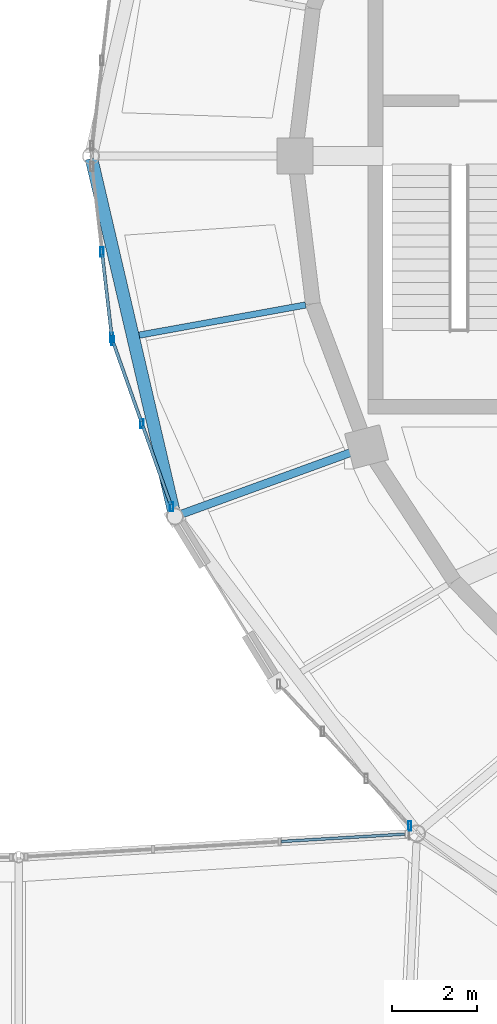
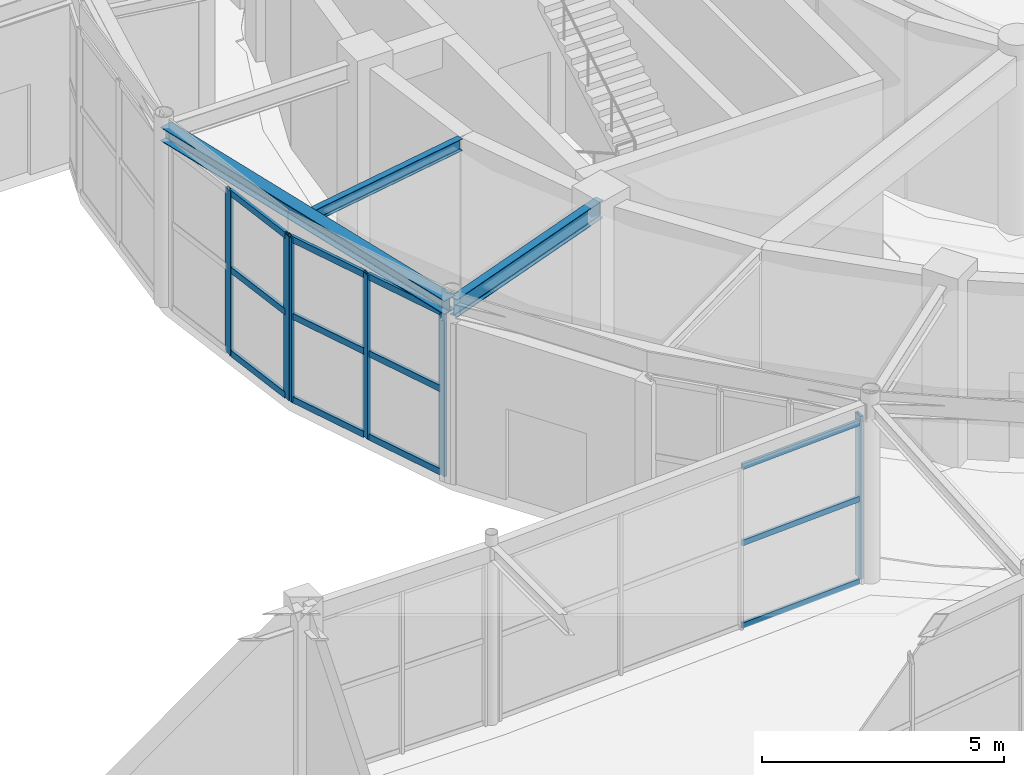
# One storey, part 29 of 108: 18 members, 3 beams, 4 elements without a shape of their own.
"""IFC4 building model written with IfcOpenShell, lengths in metres."""

from ifc_helpers import new_model, si_unit, direction, frame, origin, origin_2d, place, context, subcontext, project, spatial, hollow_rectangle, i_section, extrude, material, material_profile, profile_set, type_object, element, aggregate, save


model = new_model("IFC4")

# Units and contexts
model_context = context("Model", 3, precision=1e-05, world=origin(), true_north=direction((0.0, 1.0)))
body_context = subcontext(model_context, "Body", "Model", "MODEL_VIEW")
ifc_project = project(units=[si_unit("LENGTHUNIT", "METRE"), si_unit("AREAUNIT", "SQUARE_METRE"), si_unit("VOLUMEUNIT", "CUBIC_METRE"), si_unit("PLANEANGLEUNIT", "RADIAN"), si_unit("MASSUNIT", "GRAM", prefix="KILO")], contexts=[model_context])

# Site, building, storey
site_placement = place(None, origin())
site = spatial("IfcSite", under=ifc_project, at=site_placement, CompositionType="ELEMENT")
building_placement = place(site_placement, origin())
building = spatial("IfcBuilding", under=site, at=building_placement, Name="Tarnveldt Headland Concert Hall", CompositionType="ELEMENT")
storey_placement = place(building_placement, origin())
storey = spatial("IfcBuildingStorey", under=building, at=storey_placement, Name="L00", CompositionType="ELEMENT", Elevation=0.0)

# Curtain wall, members
ifc_material_1 = material(Name="Marine-anodised aluminium EN AW-6063-T6", Category="aluminium")
curtain_wall_type_1 = type_object("IfcCurtainWallType", Name="CW-F1", PredefinedType="NOTDEFINED", material=ifc_material_1)
curtain_wall_1_placement = place(storey_placement, origin())
curtain_wall_1 = element("IfcCurtainWall", 1, at=curtain_wall_1_placement, inside=storey, type_object=curtain_wall_type_1, Name="Curtain wall CW-L00-015", PredefinedType="NOTDEFINED")
ifc_material_profile_1 = material_profile(ifc_material_1, hollow_rectangle(XDim=0.074951171875, YDim=0.219970703125, WallThickness=0.0048828125, at=origin_2d()), Name="ALU MULLION 75x220x5", Category="aluminium")
ifc_profile_set_1 = profile_set([ifc_material_profile_1], Name="Marine-anodised aluminium EN AW-6063-T6")
member_type_1 = type_object("IfcMemberType", Name="ML-200", PredefinedType="MULLION", material=ifc_profile_set_1)
member_1_placement = place(storey_placement, frame((50.9609375, 52.245849609375, 0.0), z_axis=(0.0, 0.0, 1.0), x_axis=(1.0, 0.0, 0.0)))
member_1 = element("IfcMember", 2, at=member_1_placement, type_object=member_type_1, Name="Mullion CW-L00-015-2", PredefinedType="MULLION", context=body_context, shape_type="SweptSolid", body=[
    extrude(hollow_rectangle(XDim=0.074951171875, YDim=0.219970703125, WallThickness=0.0048828125, at=origin_2d()), origin(), (0.0, 0.0, 1.0), 4.139892578125),
])
member_2_placement = place(storey_placement, frame((51.193603515625, 50.233154296875, 0.0), z_axis=(0.0, 0.0, 1.0), x_axis=(1.0, 0.0, 0.0)))
member_2 = element("IfcMember", 3, at=member_2_placement, type_object=member_type_1, Name="Mullion CW-L00-015-3", PredefinedType="MULLION", context=body_context, shape_type="SweptSolid", body=[
    extrude(hollow_rectangle(XDim=0.074951171875, YDim=0.219970703125, WallThickness=0.0048828125, at=origin_2d()), origin(), (0.0, 0.0, 1.0), 4.139892578125),
])

curtain_wall_2_placement = place(storey_placement, origin())
curtain_wall_2 = element("IfcCurtainWall", 4, at=curtain_wall_2_placement, inside=storey, type_object=curtain_wall_type_1, Name="Curtain wall CW-L00-016", PredefinedType="NOTDEFINED")
member_3_placement = place(storey_placement, frame((51.211669921875, 50.15576171875, 0.0), z_axis=(0.0, 0.0, 1.0), x_axis=(1.0, 0.0, 0.0)))
member_3 = element("IfcMember", 5, at=member_3_placement, type_object=member_type_1, Name="Mullion CW-L00-016-1", PredefinedType="MULLION", context=body_context, shape_type="SweptSolid", body=[
    extrude(hollow_rectangle(XDim=0.074951171875, YDim=0.219970703125, WallThickness=0.0048828125, at=origin_2d()), origin(), (0.0, 0.0, 1.0), 4.139892578125),
])
member_4_placement = place(storey_placement, frame((51.904296875, 48.201416015625, 0.0), z_axis=(0.0, 0.0, 1.0), x_axis=(1.0, 0.0, 0.0)))
member_4 = element("IfcMember", 6, at=member_4_placement, type_object=member_type_1, Name="Mullion CW-L00-016-2", PredefinedType="MULLION", context=body_context, shape_type="SweptSolid", body=[
    extrude(hollow_rectangle(XDim=0.074951171875, YDim=0.219970703125, WallThickness=0.0048828125, at=origin_2d()), origin(), (0.0, 0.0, 1.0), 4.139892578125),
])
member_5_placement = place(storey_placement, frame((52.596923828125, 46.2470703125, 0.0), z_axis=(0.0, 0.0, 1.0), x_axis=(1.0, 0.0, 0.0)))
member_5 = element("IfcMember", 7, at=member_5_placement, type_object=member_type_1, Name="Mullion CW-L00-016-3", PredefinedType="MULLION", context=body_context, shape_type="SweptSolid", body=[
    extrude(hollow_rectangle(XDim=0.074951171875, YDim=0.219970703125, WallThickness=0.0048828125, at=origin_2d()), origin(), (0.0, 0.0, 1.0), 4.139892578125),
])

# Curtain wall, member
curtain_wall_3_placement = place(storey_placement, origin())
curtain_wall_3 = element("IfcCurtainWall", 8, at=curtain_wall_3_placement, inside=storey, type_object=curtain_wall_type_1, Name="Curtain wall CW-L00-017", PredefinedType="NOTDEFINED")
member_6_placement = place(storey_placement, frame((58.20849609375, 38.7373046875, 0.0), z_axis=(0.0, 0.0, 1.0), x_axis=(1.0, 0.0, 0.0)))
member_6 = element("IfcMember", 9, at=member_6_placement, type_object=member_type_1, Name="Mullion CW-L00-017-4", PredefinedType="MULLION", context=body_context, shape_type="SweptSolid", body=[
    extrude(hollow_rectangle(XDim=0.074951171875, YDim=0.219970703125, WallThickness=0.0048828125, at=origin_2d()), origin(), (0.0, 0.0, 1.0), 4.10791015625),
])
aggregate(curtain_wall_3, [member_6])

# Beams
ifc_material_2 = material(Name="Steel S355", Category="steel")
ifc_material_profile_2 = material_profile(ifc_material_2, i_section(OverallWidth=0.300048828125, OverallDepth=0.35009765625, WebThickness=0.010009765625, FlangeThickness=0.017578125, FilletRadius=0.027099609375, at=origin_2d()), Name="HEA360", Category="steel")
ifc_profile_set_2 = profile_set([ifc_material_profile_2], Name="Steel S355")
beam_type_1 = type_object("IfcBeamType", Name="SB-HEA360", PredefinedType="SPANDREL", material=ifc_profile_set_2)
beam_1_placement = place(storey_placement, frame((50.713623046875, 54.441650390625, 4.344970703125), z_axis=(0.227123591729, -0.973865942561, 0.0), x_axis=(0.973865942561, 0.227123591729, 0.0)))
element("IfcBeam", 10, at=beam_1_placement, inside=storey, type_object=beam_type_1, Name="Framing beam L00-374", PredefinedType="SPANDREL", context=body_context, shape_type="SweptSolid", body=[
    extrude(i_section(OverallWidth=0.300048828125, OverallDepth=0.35009765625, WebThickness=0.010009765625, FlangeThickness=0.017578125, FilletRadius=0.027099609375, at=origin_2d()), origin(), (0.0, 0.0, 1.0), 8.589599609375),
])
ifc_material_profile_3 = material_profile(ifc_material_2, i_section(OverallWidth=0.14990234375, OverallDepth=0.300048828125, WebThickness=0.007080078125, FlangeThickness=0.0107421875, FilletRadius=0.014892578125, at=origin_2d()), Name="IPE300", Category="steel")
ifc_profile_set_3 = profile_set([ifc_material_profile_3], Name="Steel S355")
beam_type_2 = type_object("IfcBeamType", Name="SB-IPE300", PredefinedType="JOIST", material=ifc_profile_set_3)
beam_2_placement = place(storey_placement, frame((55.753173828125, 50.995849609375, 4.3701171875), z_axis=(-0.983953220183, -0.178426624954, 0.0), x_axis=(0.178426624954, -0.983953220183, 0.0)))
element("IfcBeam", 11, at=beam_2_placement, inside=storey, type_object=beam_type_2, Name="Framing beam L00-376", PredefinedType="JOIST", context=body_context, shape_type="SweptSolid", body=[
    extrude(i_section(OverallWidth=0.14990234375, OverallDepth=0.300048828125, WebThickness=0.007080078125, FlangeThickness=0.0107421875, FilletRadius=0.014892578125, at=origin_2d()), origin(), (0.0, 0.0, 1.0), 3.98046875),
])
ifc_material_profile_4 = material_profile(ifc_material_2, i_section(OverallWidth=0.18994140625, OverallDepth=0.449951171875, WebThickness=0.009521484375, FlangeThickness=0.0146484375, FilletRadius=0.02099609375, at=origin_2d()), Name="IPE450", Category="steel")
ifc_profile_set_4 = profile_set([ifc_material_profile_4], Name="Steel S355")
beam_type_3 = type_object("IfcBeamType", Name="SB-IPE450", PredefinedType="BEAM", material=ifc_profile_set_4)
beam_3_placement = place(storey_placement, frame((57.15087890625, 47.64599609375, 4.294921875), z_axis=(-0.939673545823, -0.34207254681, 0.0), x_axis=(0.34207254681, -0.939673545823, 0.0)))
element("IfcBeam", 12, at=beam_3_placement, inside=storey, type_object=beam_type_3, Name="Framing beam L00-378", PredefinedType="BEAM", context=body_context, shape_type="SweptSolid", body=[
    extrude(i_section(OverallWidth=0.18994140625, OverallDepth=0.449951171875, WebThickness=0.009521484375, FlangeThickness=0.0146484375, FilletRadius=0.02099609375, at=origin_2d()), origin(), (0.0, 0.0, 1.0), 4.69970703125),
])

# Curtain wall, members
curtain_wall_type_2 = type_object("IfcCurtainWallType", Name="CW-L1", PredefinedType="NOTDEFINED", material=ifc_material_1)
curtain_wall_4_placement = place(storey_placement, origin())
curtain_wall_4 = element("IfcCurtainWall", 13, at=curtain_wall_4_placement, inside=storey, type_object=curtain_wall_type_2, Name="Curtain wall CW-L00-171", PredefinedType="NOTDEFINED")
ifc_material_profile_5 = material_profile(ifc_material_1, hollow_rectangle(XDim=0.06494140625, YDim=0.139892578125, WallThickness=0.00390625, at=origin_2d()), Name="ALU TRANSOM 65x140x4", Category="aluminium")
ifc_profile_set_5 = profile_set([ifc_material_profile_5], Name="Marine-anodised aluminium EN AW-6063-T6")
member_type_2 = type_object("IfcMemberType", Name="TR-140", PredefinedType="MEMBER", material=ifc_profile_set_5)
member_7_placement = place(storey_placement, frame((55.1904296875, 38.369140625, 0.050048828125), z_axis=(0.99822851378, 0.059496506427, 0.0), x_axis=(-0.059496506427, 0.99822851378, 0.0)))
member_7 = element("IfcMember", 14, at=member_7_placement, type_object=member_type_2, Name="Transom CW-L00-171-3-1", PredefinedType="MEMBER", context=body_context, shape_type="SweptSolid", body=[
    extrude(hollow_rectangle(XDim=0.06494140625, YDim=0.139892578125, WallThickness=0.00390625, at=origin_2d()), origin(), (0.0, 0.0, 1.0), 2.901123046875),
])
member_8_placement = place(storey_placement, frame((55.1904296875, 38.369140625, 2.13623046875), z_axis=(0.99822851378, 0.059496506427, 0.0), x_axis=(-0.059496506427, 0.99822851378, 0.0)))
member_8 = element("IfcMember", 15, at=member_8_placement, type_object=member_type_2, Name="Transom CW-L00-171-3-2", PredefinedType="MEMBER", context=body_context, shape_type="SweptSolid", body=[
    extrude(hollow_rectangle(XDim=0.06494140625, YDim=0.139892578125, WallThickness=0.00390625, at=origin_2d()), origin(), (0.0, 0.0, 1.0), 2.901123046875),
])
member_9_placement = place(storey_placement, frame((55.1904296875, 38.369140625, 4.05810546875), z_axis=(0.99822851378, 0.059496506427, 0.0), x_axis=(-0.059496506427, 0.99822851378, 0.0)))
member_9 = element("IfcMember", 16, at=member_9_placement, type_object=member_type_2, Name="Transom CW-L00-171-3-3", PredefinedType="MEMBER", context=body_context, shape_type="SweptSolid", body=[
    extrude(hollow_rectangle(XDim=0.06494140625, YDim=0.139892578125, WallThickness=0.00390625, at=origin_2d()), origin(), (0.0, 0.0, 1.0), 2.901123046875),
])
aggregate(curtain_wall_4, [member_7, member_8, member_9])

# Member
ifc_material_profile_6 = material_profile(ifc_material_1, hollow_rectangle(XDim=0.074951171875, YDim=0.159912109375, WallThickness=0.00390625, at=origin_2d()), Name="ALU TRANSOM 75x160x4", Category="aluminium")
ifc_profile_set_6 = profile_set([ifc_material_profile_6], Name="Marine-anodised aluminium EN AW-6063-T6")
member_type_3 = type_object("IfcMemberType", Name="TR-160", PredefinedType="MEMBER", material=ifc_profile_set_6)
member_10_placement = place(storey_placement, frame((50.966552734375, 52.196533203125, 0.050048828125), z_axis=(0.114922277943, -0.9933744863, 0.0), x_axis=(0.9933744863, 0.114922277943, 0.0)))
member_10 = element("IfcMember", 17, at=member_10_placement, type_object=member_type_3, Name="Transom CW-L00-015-2-1", PredefinedType="MEMBER", context=body_context, shape_type="SweptSolid", body=[
    extrude(hollow_rectangle(XDim=0.074951171875, YDim=0.159912109375, WallThickness=0.00390625, at=origin_2d()), origin(), (0.0, 0.0, 1.0), 1.9267578125),
])

member_11_placement = place(storey_placement, frame((50.966552734375, 52.196533203125, 2.15283203125), z_axis=(0.114922277943, -0.9933744863, 0.0), x_axis=(0.9933744863, 0.114922277943, 0.0)))
member_11 = element("IfcMember", 18, at=member_11_placement, type_object=member_type_3, Name="Transom CW-L00-015-2-2", PredefinedType="MEMBER", context=body_context, shape_type="SweptSolid", body=[
    extrude(hollow_rectangle(XDim=0.074951171875, YDim=0.159912109375, WallThickness=0.00390625, at=origin_2d()), origin(), (0.0, 0.0, 1.0), 1.9267578125),
])

member_12_placement = place(storey_placement, frame((50.966552734375, 52.196533203125, 4.090087890625), z_axis=(0.114922277943, -0.9933744863, 0.0), x_axis=(0.9933744863, 0.114922277943, 0.0)))
member_12 = element("IfcMember", 19, at=member_12_placement, type_object=member_type_3, Name="Transom CW-L00-015-2-3", PredefinedType="MEMBER", context=body_context, shape_type="SweptSolid", body=[
    extrude(hollow_rectangle(XDim=0.074951171875, YDim=0.159912109375, WallThickness=0.00390625, at=origin_2d()), origin(), (0.0, 0.0, 1.0), 1.9267578125),
])

aggregate(curtain_wall_1, [member_1, member_2, member_10, member_11, member_12])

member_13_placement = place(storey_placement, frame((51.228271484375, 50.109130859375, 0.050048828125), z_axis=(0.333977607749, -0.942581008467, 0.0), x_axis=(0.942581008467, 0.333977607749, 0.0)))
member_13 = element("IfcMember", 20, at=member_13_placement, type_object=member_type_3, Name="Transom CW-L00-016-1-1", PredefinedType="MEMBER", context=body_context, shape_type="SweptSolid", body=[
    extrude(hollow_rectangle(XDim=0.074951171875, YDim=0.159912109375, WallThickness=0.00390625, at=origin_2d()), origin(), (0.0, 0.0, 1.0), 1.974365234375),
])

member_14_placement = place(storey_placement, frame((51.228271484375, 50.109130859375, 2.15283203125), z_axis=(0.333977607749, -0.942581008467, 0.0), x_axis=(0.942581008467, 0.333977607749, 0.0)))
member_14 = element("IfcMember", 21, at=member_14_placement, type_object=member_type_3, Name="Transom CW-L00-016-1-2", PredefinedType="MEMBER", context=body_context, shape_type="SweptSolid", body=[
    extrude(hollow_rectangle(XDim=0.074951171875, YDim=0.159912109375, WallThickness=0.00390625, at=origin_2d()), origin(), (0.0, 0.0, 1.0), 1.974365234375),
])

member_15_placement = place(storey_placement, frame((51.228271484375, 50.109130859375, 4.090087890625), z_axis=(0.333977607749, -0.942581008467, 0.0), x_axis=(0.942581008467, 0.333977607749, 0.0)))
member_15 = element("IfcMember", 22, at=member_15_placement, type_object=member_type_3, Name="Transom CW-L00-016-1-3", PredefinedType="MEMBER", context=body_context, shape_type="SweptSolid", body=[
    extrude(hollow_rectangle(XDim=0.074951171875, YDim=0.159912109375, WallThickness=0.00390625, at=origin_2d()), origin(), (0.0, 0.0, 1.0), 1.974365234375),
])

member_16_placement = place(storey_placement, frame((51.9208984375, 48.15478515625, 0.050048828125), z_axis=(0.333977607749, -0.942581008467, 0.0), x_axis=(0.942581008467, 0.333977607749, 0.0)))
member_16 = element("IfcMember", 23, at=member_16_placement, type_object=member_type_3, Name="Transom CW-L00-016-2-1", PredefinedType="MEMBER", context=body_context, shape_type="SweptSolid", body=[
    extrude(hollow_rectangle(XDim=0.074951171875, YDim=0.159912109375, WallThickness=0.00390625, at=origin_2d()), origin(), (0.0, 0.0, 1.0), 1.974365234375),
])

member_17_placement = place(storey_placement, frame((51.9208984375, 48.15478515625, 2.15283203125), z_axis=(0.333977607749, -0.942581008467, 0.0), x_axis=(0.942581008467, 0.333977607749, 0.0)))
member_17 = element("IfcMember", 24, at=member_17_placement, type_object=member_type_3, Name="Transom CW-L00-016-2-2", PredefinedType="MEMBER", context=body_context, shape_type="SweptSolid", body=[
    extrude(hollow_rectangle(XDim=0.074951171875, YDim=0.159912109375, WallThickness=0.00390625, at=origin_2d()), origin(), (0.0, 0.0, 1.0), 1.974365234375),
])

member_18_placement = place(storey_placement, frame((51.9208984375, 48.15478515625, 4.090087890625), z_axis=(0.333977607749, -0.942581008467, 0.0), x_axis=(0.942581008467, 0.333977607749, 0.0)))
member_18 = element("IfcMember", 25, at=member_18_placement, type_object=member_type_3, Name="Transom CW-L00-016-2-3", PredefinedType="MEMBER", context=body_context, shape_type="SweptSolid", body=[
    extrude(hollow_rectangle(XDim=0.074951171875, YDim=0.159912109375, WallThickness=0.00390625, at=origin_2d()), origin(), (0.0, 0.0, 1.0), 1.974365234375),
])

aggregate(curtain_wall_2, [member_3, member_4, member_5, member_13, member_14, member_15, member_16, member_17, member_18])

save(model, "model.ifc")
